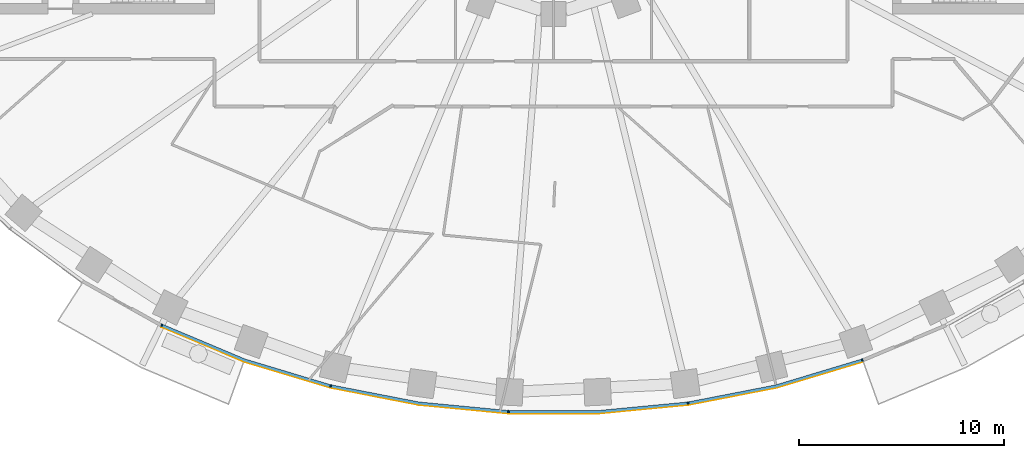
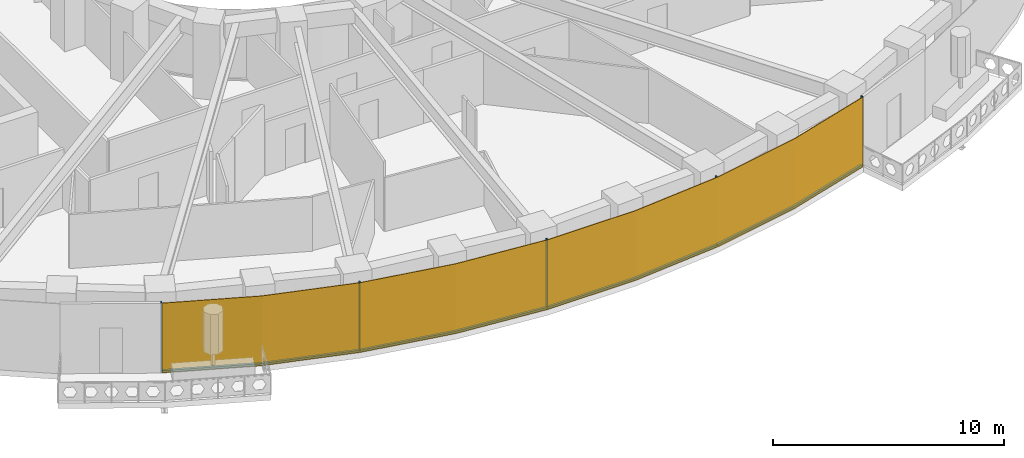
# One storey, part 9 of 15: 9 members, 1 curtain wall.
"""IFC4 building model written with IfcOpenShell, lengths in metres."""

from ifc_helpers import new_model, si_unit, direction, frame, origin, origin_2d, place, context, subcontext, project, spatial, polyline, rectangle, outline, extrude, material, layer, layer_set, material_profile, profile_set, type_object, element, aggregate, save


model = new_model("IFC4")

# Units and contexts
model_context = context("Model", 3, precision=1e-05, world=origin(), true_north=direction((0.0, 1.0)))
body_context = subcontext(model_context, "Body", "Model", "MODEL_VIEW")
ifc_project = project(units=[si_unit("LENGTHUNIT", "METRE"), si_unit("AREAUNIT", "SQUARE_METRE"), si_unit("VOLUMEUNIT", "CUBIC_METRE"), si_unit("PLANEANGLEUNIT", "RADIAN"), si_unit("MASSUNIT", "GRAM", prefix="KILO")], contexts=[model_context])

# Member
ifc_material_1 = material(Name="Aluminium 6063-T6 black anodised", Category="aluminium")
ifc_material_profile = material_profile(ifc_material_1, rectangle(XDim=0.1201171875, YDim=0.06005859375, at=origin_2d()), Name="120x60")
ifc_profile_set = profile_set([ifc_material_profile], Name="Aluminium 6063-T6 black anodised")
member_type_1 = type_object("IfcMemberType", Name="ENV-MULLION-A-120", PredefinedType="MULLION", material=ifc_profile_set)
site_placement = place(None, origin())
building_placement = place(site_placement, origin())
storey_placement = place(building_placement, frame((0.0, 0.0, 92.0)))
member_1_placement = place(storey_placement, frame((-19.06787109375, -23.6474609375, 0.0), z_axis=(0.0, 0.0, 1.0), x_axis=(0.439237769837, 0.898370848563, 0.0)))
member_1 = element("IfcMember", 1, at=member_1_placement, type_object=member_type_1, Name="Mullion A radial 31", PredefinedType="MULLION", context=body_context, shape_type="SweptSolid", body=[
    extrude(rectangle(XDim=0.1201171875, YDim=0.06005859375, at=origin_2d()), origin(), (0.0, 0.0, 1.0), 3.699951171875),
])

member_2_placement = place(storey_placement, frame((-10.84326171875, -26.60498046875, 0.0), z_axis=(0.0, 0.0, 1.0), x_axis=(0.239799081534, 0.970822538106, 0.0)))
member_2 = element("IfcMember", 2, at=member_2_placement, type_object=member_type_1, Name="Mullion A radial 33", PredefinedType="MULLION", context=body_context, shape_type="SweptSolid", body=[
    extrude(rectangle(XDim=0.1201171875, YDim=0.06005859375, at=origin_2d()), origin(), (0.0, 0.0, 1.0), 3.699951171875),
])

member_3_placement = place(storey_placement, frame((-2.188720703125, -27.856201171875, 0.0), z_axis=(0.0, 0.0, 1.0), x_axis=(0.047557873581, 0.998868484166, 0.0)))
member_3 = element("IfcMember", 3, at=member_3_placement, type_object=member_type_1, Name="Mullion A radial 35", PredefinedType="MULLION", context=body_context, shape_type="SweptSolid", body=[
    extrude(rectangle(XDim=0.1201171875, YDim=0.06005859375, at=origin_2d()), origin(), (0.0, 0.0, 1.0), 3.699951171875),
])

member_4_placement = place(storey_placement, frame((6.54638671875, -27.440185546875, 0.0), z_axis=(0.0, 0.0, 1.0), x_axis=(-0.143082012705, 0.989710835366, 0.0)))
member_4 = element("IfcMember", 4, at=member_4_placement, type_object=member_type_1, Name="Mullion A radial 37", PredefinedType="MULLION", context=body_context, shape_type="SweptSolid", body=[
    extrude(rectangle(XDim=0.1201171875, YDim=0.06005859375, at=origin_2d()), origin(), (0.0, 0.0, 1.0), 3.699951171875),
])

member_5_placement = place(storey_placement, frame((15.0341796875, -25.34375, 0.0), z_axis=(0.0, 0.0, 1.0), x_axis=(-0.338379256581, 0.941009818608, 0.0)))
member_5 = element("IfcMember", 5, at=member_5_placement, type_object=member_type_1, Name="Mullion A radial 39", PredefinedType="MULLION", context=body_context, shape_type="SweptSolid", body=[
    extrude(rectangle(XDim=0.1201171875, YDim=0.06005859375, at=origin_2d()), origin(), (0.0, 0.0, 1.0), 3.699951171875),
])

ifc_material_2 = material(Name="Aluminium 6063-T6 black anodised", Category="aluminium")
member_type_2 = type_object("IfcMemberType", Name="ENV-TRANSOM-A", PredefinedType="USERDEFINED", material=ifc_material_2)
member_6_placement = place(storey_placement, origin())
member_6 = element("IfcMember", 6, at=member_6_placement, type_object=member_type_2, Name="Transom A radial 31-33", ObjectType="TRANSOM", PredefinedType="USERDEFINED", context=body_context, shape_type="SweptSolid", body=[
    extrude(outline(polyline([(-19.068359375, -23.71240234375), (-15.054443359375, -25.400146484375), (-10.884521484375, -26.655029296875), (-10.855712890625, -26.53857421875), (-15.013916015625, -25.287109375), (-19.015380859375, -23.604248046875), (-19.068359375, -23.71240234375)])), origin(), (0.0, 0.0, 1.0), 0.10009765625),
])

member_7_placement = place(storey_placement, origin())
member_7 = element("IfcMember", 7, at=member_7_placement, type_object=member_type_2, Name="Transom A radial 33-35", ObjectType="TRANSOM", PredefinedType="USERDEFINED", context=body_context, shape_type="SweptSolid", body=[
    extrude(outline(polyline([(-10.830078125, -26.66845703125), (-6.55517578125, -27.49951171875), (-2.219482421875, -27.913330078125), (-2.2138671875, -27.793212890625), (-6.537841796875, -27.380615234375), (-10.80126953125, -26.552001953125), (-10.830078125, -26.66845703125)])), origin(), (0.0, 0.0, 1.0), 0.10009765625),
])

member_8_placement = place(storey_placement, origin())
member_8 = element("IfcMember", 8, at=member_8_placement, type_object=member_type_2, Name="Transom A radial 35-37", ObjectType="TRANSOM", PredefinedType="USERDEFINED", context=body_context, shape_type="SweptSolid", body=[
    extrude(outline(polyline([(-2.163818359375, -27.916015625), (2.191650390625, -27.916015625), (6.527099609375, -27.502197265625), (6.510009765625, -27.38330078125), (2.185791015625, -27.7958984375), (-2.157958984375, -27.7958984375), (-2.163818359375, -27.916015625)])), origin(), (0.0, 0.0, 1.0), 0.10009765625),
])

member_9_placement = place(storey_placement, origin())
member_9 = element("IfcMember", 9, at=member_9_placement, type_object=member_type_2, Name="Transom A radial 37-39", ObjectType="TRANSOM", PredefinedType="USERDEFINED", context=body_context, shape_type="SweptSolid", body=[
    extrude(outline(polyline([(6.58251953125, -27.494140625), (10.857666015625, -26.6630859375), (15.027587890625, -25.408203125), (14.987060546875, -25.295166015625), (10.828857421875, -26.54638671875), (6.5654296875, -27.375244140625), (6.58251953125, -27.494140625)])), origin(), (0.0, 0.0, 1.0), 0.10009765625),
])

# Site, building, storey
site = spatial("IfcSite", under=ifc_project, at=site_placement, CompositionType="ELEMENT")
building = spatial("IfcBuilding", under=site, at=building_placement, Name="Noorbagh Ring Tower", CompositionType="ELEMENT")
storey = spatial("IfcBuildingStorey", under=building, at=storey_placement, Name="L20", CompositionType="ELEMENT", Elevation=92.0)

# Curtain wall
ifc_material_3 = material(Name="Glass dark tinted laminated", Category="glass")
ifc_layer = layer(ifc_material_3, 0.031982421875)
ifc_layer_set = layer_set([ifc_layer], Name="Glass dark tinted laminated")
curtain_wall_type = type_object("IfcCurtainWallType", Name="ENV-CW-A", PredefinedType="NOTDEFINED", material=ifc_layer_set)
curtain_wall_placement = place(storey_placement, origin())
curtain_wall = element("IfcCurtainWall", 10, at=curtain_wall_placement, inside=storey, type_object=curtain_wall_type, Name="Curtain wall A R31", PredefinedType="NOTDEFINED", context=body_context, shape_type="SweptSolid", body=[
    extrude(outline(polyline([(-19.08984375, -23.738037109375), (-15.065185546875, -25.430419921875), (-10.865234375, -26.6943359375), (-6.559814453125, -27.53125), (-2.193115234375, -27.947998046875), (2.193115234375, -27.947998046875), (6.559814453125, -27.53125), (10.865234375, -26.6943359375), (15.046142578125, -25.43603515625), (15.035400390625, -25.406005859375), (10.857666015625, -26.6630859375), (6.55517578125, -27.49951171875), (2.191650390625, -27.916015625), (-2.191650390625, -27.916015625), (-6.55517578125, -27.49951171875), (-10.857666015625, -26.6630859375), (-15.054443359375, -25.400146484375), (-19.07568359375, -23.709228515625), (-19.08984375, -23.738037109375)])), origin(), (0.0, 0.0, 1.0), 3.699951171875),
])

aggregate(curtain_wall, [member_1, member_2, member_3, member_4, member_5, member_6, member_7, member_8, member_9])

save(model, "model.ifc")
